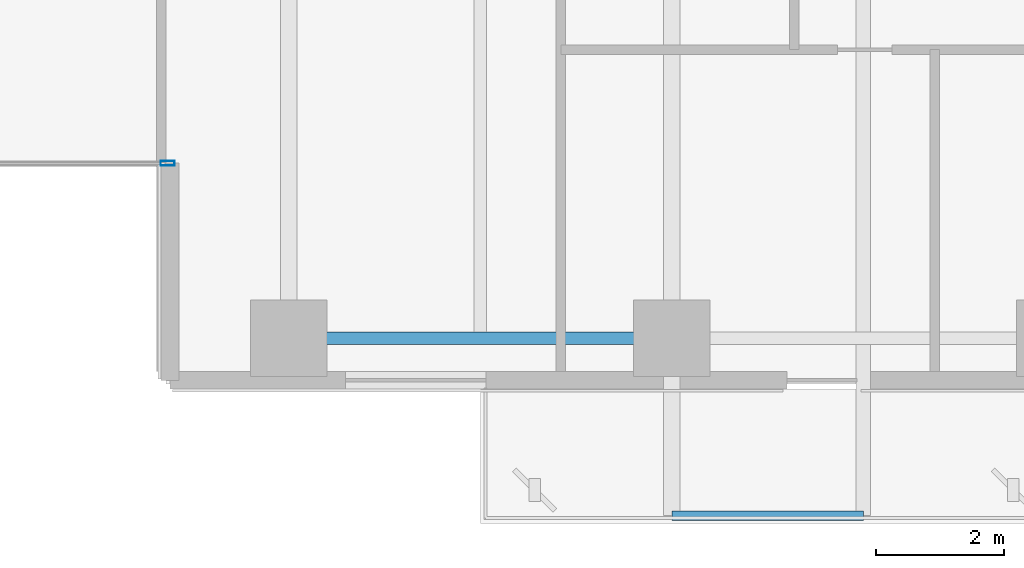
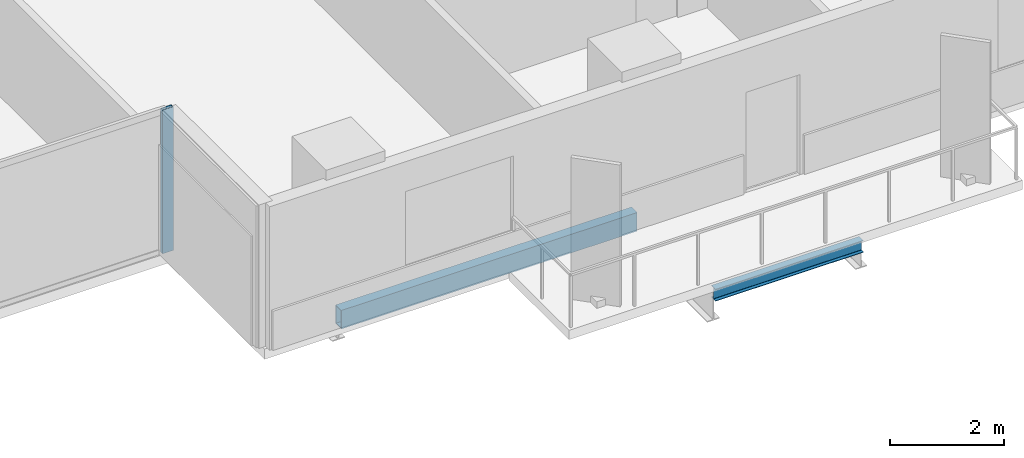
# One storey, part 6 of 33: 2 beams, 1 member, 1 element without a shape of its own.
"""IFC4 building model written with IfcOpenShell, lengths in metres."""

import ifcopenshell
import ifcopenshell.guid

model = None  # the IFC model being written
_history = None  # IfcOwnerHistory: only IFC2X3 demands one
_inside = {}  # id of a spatial element -> (the spatial element, [elements in it])
_under = {}  # id of a project, library or spatial element -> (it, [spatial elements below it])
_declared = {}  # id of a project -> (the project, [libraries it declares])
_typed = {}  # id of a type object -> (the type object, [elements of that type])
_made_of = {}  # id of a material, layer set ... -> (it, [elements and type objects made of it])


def new_model(schema):
    """Start an empty IFC model of exactly this schema.

    Asked for "IFC4X3", IfcOpenShell would pick the latest addendum, in which some entities
    have other attributes; the version numbers below select the first issue.
    IFC2X3 requires an IfcOwnerHistory on every rooted entity: one is made here for all.
    """
    global model, _history
    if schema == "IFC4X3":
        model = ifcopenshell.file(schema_version=(4, 3, 0, 0))
    else:
        model = ifcopenshell.file(schema=schema)
    _inside.clear()
    _under.clear()
    _declared.clear()
    _typed.clear()
    _made_of.clear()
    _history = None
    if model.schema == "IFC2X3":
        org = make("IfcOrganization", Name="unknown")
        user = make(
            "IfcPersonAndOrganization",
            ThePerson=make("IfcPerson", FamilyName="unknown"),
            TheOrganization=org,
        )
        app = make(
            "IfcApplication",
            ApplicationDeveloper=org,
            Version="unknown",
            ApplicationFullName="unknown",
            ApplicationIdentifier="unknown",
        )
        _history = make(
            "IfcOwnerHistory",
            OwningUser=user,
            OwningApplication=app,
            ChangeAction="ADDED",
            CreationDate=0,
        )
    return model


def make(cls, **values):
    """One entity of the class cls with the attributes given. An attribute that is None is left unset."""
    return model.create_entity(
        cls, **{name: value for name, value in values.items() if value is not None}
    )


def rooted(cls, **values):
    """An entity with a GlobalId (a new one), such as an element, a storey or a relation."""
    return make(cls, GlobalId=ifcopenshell.guid.new(), OwnerHistory=_history, **values)


def si_unit(unit_type, name, prefix=None):
    """IfcSIUnit, for example si_unit("LENGTHUNIT", "METRE", prefix="MILLI")."""
    return make("IfcSIUnit", UnitType=unit_type, Prefix=prefix, Name=name)


def assignment(units):
    """IfcUnitAssignment: the units of a project."""
    return None if units is None else make("IfcUnitAssignment", Units=units)


def point(xyz):
    """IfcCartesianPoint."""
    return None if xyz is None else make("IfcCartesianPoint", Coordinates=xyz)


def direction(xyz):
    """IfcDirection."""
    return None if xyz is None else make("IfcDirection", DirectionRatios=xyz)


def frame(location, z_axis=None, x_axis=None):
    """IfcAxis2Placement3D, a coordinate frame: its origin and axes. An axis left out is left unset."""
    return make(
        "IfcAxis2Placement3D",
        Location=point(location),
        Axis=direction(z_axis),
        RefDirection=direction(x_axis),
    )


def frame_2d(location, x_axis=None):
    """IfcAxis2Placement2D, a coordinate frame in the plane: its origin and x axis."""
    return make(
        "IfcAxis2Placement2D", Location=point(location), RefDirection=direction(x_axis)
    )


def origin():
    """The frame at (0, 0, 0) with its axes left unset."""
    return frame((0.0, 0.0, 0.0))


def origin_2d():
    """The frame at (0, 0) in the plane with its x axis left unset."""
    return frame_2d((0.0, 0.0))


def place(relative_to, where):
    """IfcLocalPlacement: puts the frame where relative to a parent placement (None: the world)."""
    return make(
        "IfcLocalPlacement", PlacementRelTo=relative_to, RelativePlacement=where
    )


def context(
    kind, dimensions, precision=None, world=None, true_north=None, identifier=None
):
    """IfcGeometricRepresentationContext, for example the 3D "Model" context."""
    return make(
        "IfcGeometricRepresentationContext",
        ContextIdentifier=identifier,
        ContextType=kind,
        CoordinateSpaceDimension=dimensions,
        Precision=precision,
        WorldCoordinateSystem=world,
        TrueNorth=true_north,
    )


def subcontext(parent, identifier, kind, view, scale=None):
    """IfcGeometricRepresentationSubContext, for example "Body" below "Model"."""
    return make(
        "IfcGeometricRepresentationSubContext",
        ContextIdentifier=identifier,
        ContextType=kind,
        ParentContext=parent,
        TargetScale=scale,
        TargetView=view,
    )


def project(units=None, contexts=None):
    """IfcProject with its units and contexts."""
    return rooted(
        "IfcProject",
        Name="project",
        RepresentationContexts=contexts,
        UnitsInContext=assignment(units),
    )


def spatial(cls, under=None, at=None, **own):
    """A site, building, storey or space (cls), placed at a placement, below another one or the project."""
    s = rooted(cls, ObjectPlacement=at, **own)
    if under is not None:
        _under.setdefault(under.id(), (under, []))[1].append(s)
    return s


def profile(cls, at=None, kind="AREA", **sizes):
    """A parametric profile (cls). Its sizes go by their IFC names, for example OverallWidth=200.0."""
    return make(cls, ProfileType=kind, Position=at, **sizes)


def hollow_rectangle(**sizes):
    """IfcRectangleHollowProfileDef."""
    return profile("IfcRectangleHollowProfileDef", **sizes)


def i_section(**sizes):
    """IfcIShapeProfileDef."""
    return profile("IfcIShapeProfileDef", **sizes)


def extrude(swept, where, along, depth):
    """IfcExtrudedAreaSolid: the profile swept, set in the frame where, extruded along a direction by depth."""
    return make(
        "IfcExtrudedAreaSolid",
        SweptArea=swept,
        Position=where,
        ExtrudedDirection=direction(along),
        Depth=depth,
    )


def shape(context_of_items, identifier, shape_type, items):
    """IfcShapeRepresentation: the items that make up one representation, for example the "Body"."""
    return make(
        "IfcShapeRepresentation",
        ContextOfItems=context_of_items,
        RepresentationIdentifier=identifier,
        RepresentationType=shape_type,
        Items=items,
    )


def material(Name=None, Category=None):
    """IfcMaterial."""
    return make("IfcMaterial", Name=Name, Category=Category)


def layer(
    of_material, thickness, ventilated=None, Name=None, Category=None, Priority=None
):
    """IfcMaterialLayer: one layer of a wall or slab, of a material (None: an air gap)."""
    return make(
        "IfcMaterialLayer",
        Material=of_material,
        LayerThickness=thickness,
        IsVentilated=ventilated,
        Name=Name,
        Category=Category,
        Priority=Priority,
    )


def layer_set(layers, Name=None):
    """IfcMaterialLayerSet."""
    return make("IfcMaterialLayerSet", MaterialLayers=layers, LayerSetName=Name)


def material_profile(
    of_material, cross_section, Name=None, Category=None, Priority=None
):
    """IfcMaterialProfile: a cross section and its material."""
    return make(
        "IfcMaterialProfile",
        Name=Name,
        Material=of_material,
        Profile=cross_section,
        Priority=Priority,
        Category=Category,
    )


def profile_set(profiles, Name=None, composite=None):
    """IfcMaterialProfileSet."""
    return make(
        "IfcMaterialProfileSet",
        Name=Name,
        MaterialProfiles=profiles,
        CompositeProfile=composite,
    )


def made_of(thing, what):
    """Note that an element or type object is made of a material, layer set ...; save() writes the relation."""
    if what is not None:
        _made_of.setdefault(what.id(), (what, []))[1].append(thing)
    return thing


def type_object(cls, material=None, **own):
    """A type object (cls), such as IfcWallType, which elements share."""
    return made_of(rooted(cls, **own), material)


def element(
    cls,
    number,
    at=None,
    inside=None,
    cuts=None,
    type_object=None,
    material=None,
    context=None,
    identifier="Body",
    shape_type=None,
    held_by="IfcProductDefinitionShape",
    body=None,
    shapes=None,
    **own,
):
    """One element of the class cls, such as IfcWall. Its Tag is "e" and its number.

    at: its placement. inside: the storey or other place that contains it. cuts: it is an
    opening in that element (IfcRelVoidsElement). A single representation is given by context,
    identifier, shape_type and body (its items); several are given by shapes. held_by: the class
    of the entity that holds the representations. save() writes the other relations.
    """
    e = rooted(cls, Tag="e%d" % number, ObjectPlacement=at, **own)
    if body is not None:
        shapes = [shape(context, identifier, shape_type, body)]
    if shapes is not None:
        e.Representation = make(held_by, Representations=shapes)
    if inside is not None:
        _inside.setdefault(inside.id(), (inside, []))[1].append(e)
    if cuts is not None:
        rooted(
            "IfcRelVoidsElement", RelatingBuildingElement=cuts, RelatedOpeningElement=e
        )
    if type_object is not None:
        _typed.setdefault(type_object.id(), (type_object, []))[1].append(e)
    return made_of(e, material)


def aggregate(whole, parts):
    """IfcRelAggregates: a whole, such as a stair, and the parts it consists of."""
    return rooted("IfcRelAggregates", RelatingObject=whole, RelatedObjects=parts)


def save(model, path):
    """Write the relations noted so far, then the file.

    IfcRelAggregates (storeys below a building ...), IfcRelContainedInSpatialStructure (elements
    in a storey), IfcRelDefinesByType, IfcRelAssociatesMaterial and IfcRelDeclares: one each for
    every whole, place, type object, material and project.
    """
    for whole, parts in _under.values():
        aggregate(whole, parts)
    for where, things in _inside.values():
        rooted(
            "IfcRelContainedInSpatialStructure",
            RelatedElements=things,
            RelatingStructure=where,
        )
    for kind, things in _typed.values():
        rooted("IfcRelDefinesByType", RelatedObjects=things, RelatingType=kind)
    for what, things in _made_of.values():
        rooted("IfcRelAssociatesMaterial", RelatedObjects=things, RelatingMaterial=what)
    for by, libraries in _declared.values():
        rooted("IfcRelDeclares", RelatingContext=by, RelatedDefinitions=libraries)
    model.write(path)


model = new_model("IFC4")

# Units and contexts
model_context = context("Model", 3, precision=1e-05, world=origin(), true_north=direction((0.0, 1.0)))
body_context = subcontext(model_context, "Body", "Model", "MODEL_VIEW")
ifc_project = project(units=[si_unit("LENGTHUNIT", "METRE"), si_unit("AREAUNIT", "SQUARE_METRE"), si_unit("VOLUMEUNIT", "CUBIC_METRE"), si_unit("PLANEANGLEUNIT", "RADIAN"), si_unit("MASSUNIT", "GRAM", prefix="KILO")], contexts=[model_context])

# Site, building, storey
site_placement = place(None, origin())
site = spatial("IfcSite", under=ifc_project, at=site_placement, CompositionType="ELEMENT")
building_placement = place(site_placement, origin())
building = spatial("IfcBuilding", under=site, at=building_placement, Name="Tanjung Sevakor Pilgrim Tower", CompositionType="ELEMENT")
storey_placement = place(building_placement, frame((0.0, 0.0, 35.639892578125)))
storey = spatial("IfcBuildingStorey", under=building, at=storey_placement, Name="L09", CompositionType="ELEMENT", Elevation=35.639892578125)

# Beams
ifc_material_1 = material(Name="Steel S355J2", Category="steel")
ifc_material_profile_1 = material_profile(ifc_material_1, i_section(OverallWidth=0.146484375, OverallDepth=0.256103515625, WebThickness=0.00634765625, FlangeThickness=0.010986328125, FilletRadius=0.007568359375, at=origin_2d()))
ifc_profile_set_1 = profile_set([ifc_material_profile_1], Name="Steel S355J2")
beam_type_1 = type_object("IfcBeamType", Name="BM-B-J6-UB_254x146x37", PredefinedType="JOIST", material=ifc_profile_set_1)
beam_1_placement = place(storey_placement, frame((60.0, 5.6201171875, -0.327880859375), z_axis=(1.0, 0.0, 0.0), x_axis=(0.0, 1.0, 0.0)))
element("IfcBeam", 1, at=beam_1_placement, inside=storey, type_object=beam_type_1, Name="L09 Balcony Rim Tie MAIN-S2", PredefinedType="JOIST", context=body_context, shape_type="SweptSolid", body=[
    extrude(i_section(OverallWidth=0.146484375, OverallDepth=0.256103515625, WebThickness=0.00634765625, FlangeThickness=0.010986328125, FilletRadius=0.007568359375, at=origin_2d()), origin(), (0.0, 0.0, 1.0), 3.0),
])
ifc_material_2 = material(Name="Steel S355J2", Category="steel")
ifc_material_profile_2 = material_profile(ifc_material_2, hollow_rectangle(XDim=0.199951171875, YDim=0.39990234375, WallThickness=0.01611328125, at=origin_2d()))
ifc_profile_set_2 = profile_set([ifc_material_profile_2], Name="Steel S355J2")
beam_type_2 = type_object("IfcBeamType", Name="BM-B-SP2-RHS_400x200x16", PredefinedType="SPANDREL", material=ifc_profile_set_2)
beam_2_placement = place(storey_placement, frame((54.0, 8.39990234375, -0.419921875), z_axis=(1.0, 0.0, 0.0), x_axis=(0.0, 1.0, 0.0)))
element("IfcBeam", 2, at=beam_2_placement, inside=storey, type_object=beam_type_2, Name="L09 Spandrel MAIN S-07", PredefinedType="SPANDREL", context=body_context, shape_type="SweptSolid", body=[
    extrude(hollow_rectangle(XDim=0.199951171875, YDim=0.39990234375, WallThickness=0.01611328125, at=origin_2d()), origin(), (0.0, 0.0, 1.0), 6.0),
])

# Curtain wall, member
ifc_material_3 = material(Name="Aluminium 6063-T6 and Low-E Glass", Category="aluminium")
ifc_layer = layer(ifc_material_3, 0.179931640625)
ifc_layer_set = layer_set([ifc_layer], Name="CW-SYS-CLEFT")
curtain_wall_type = type_object("IfcCurtainWallType", Name="CW-SYS-CLEFT", PredefinedType="NOTDEFINED", material=ifc_layer_set)
curtain_wall_placement = place(storey_placement, origin())
curtain_wall = element("IfcCurtainWall", 3, at=curtain_wall_placement, inside=storey, type_object=curtain_wall_type, Name="L09 Curtain Wall CW-CLF-L09-2", PredefinedType="NOTDEFINED")
ifc_material_4 = material(Name="Aluminium 6063-T6", Category="aluminium")
ifc_material_profile_3 = material_profile(ifc_material_4, hollow_rectangle(XDim=0.074951171875, YDim=0.219970703125, WallThickness=0.0048828125, at=origin_2d()))
ifc_profile_set_3 = profile_set([ifc_material_profile_3], Name="Aluminium 6063-T6")
member_type = type_object("IfcMemberType", Name="TYPE-CWM-2", PredefinedType="MULLION", material=ifc_profile_set_3)
member_placement = place(storey_placement, frame((52.1025390625, 11.139892578125, 0.0), z_axis=(0.0, 0.0, 1.0), x_axis=(0.0, 1.0, 0.0)))
member = element("IfcMember", 4, at=member_placement, type_object=member_type, Name="CW-CLF mullion 2", PredefinedType="MULLION", context=body_context, shape_type="SweptSolid", body=[
    extrude(hollow_rectangle(XDim=0.074951171875, YDim=0.219970703125, WallThickness=0.0048828125, at=origin_2d()), origin(), (0.0, 0.0, 1.0), 3.080078125),
])
aggregate(curtain_wall, [member])

save(model, "model.ifc")
